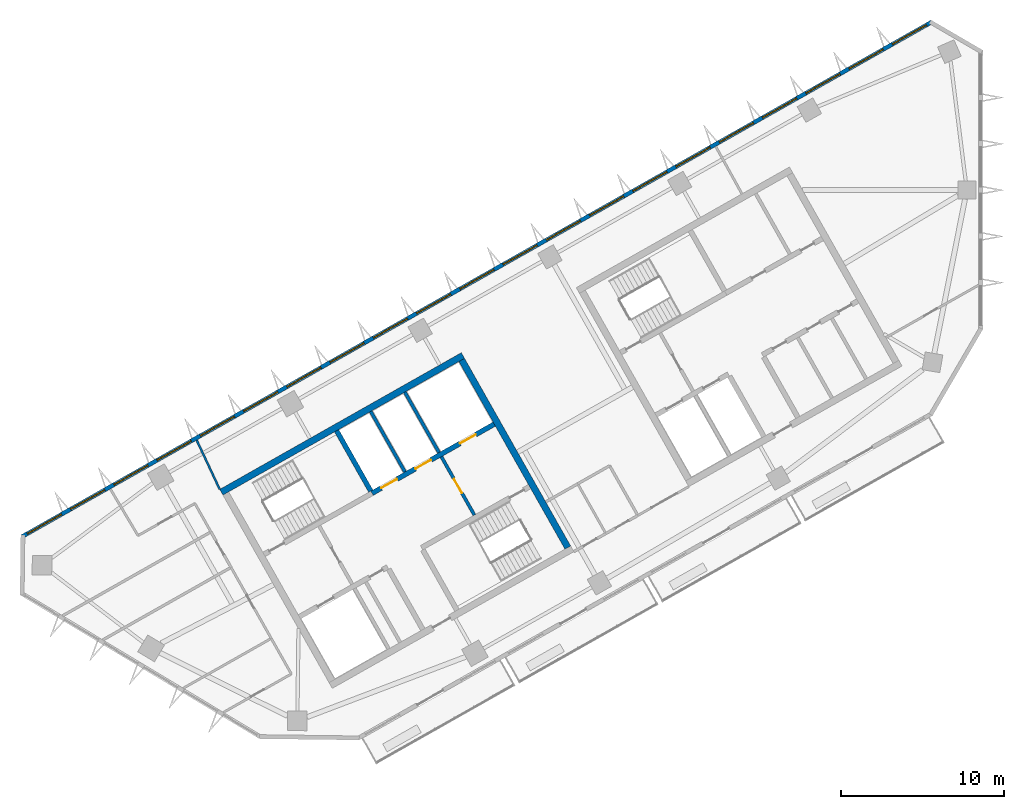
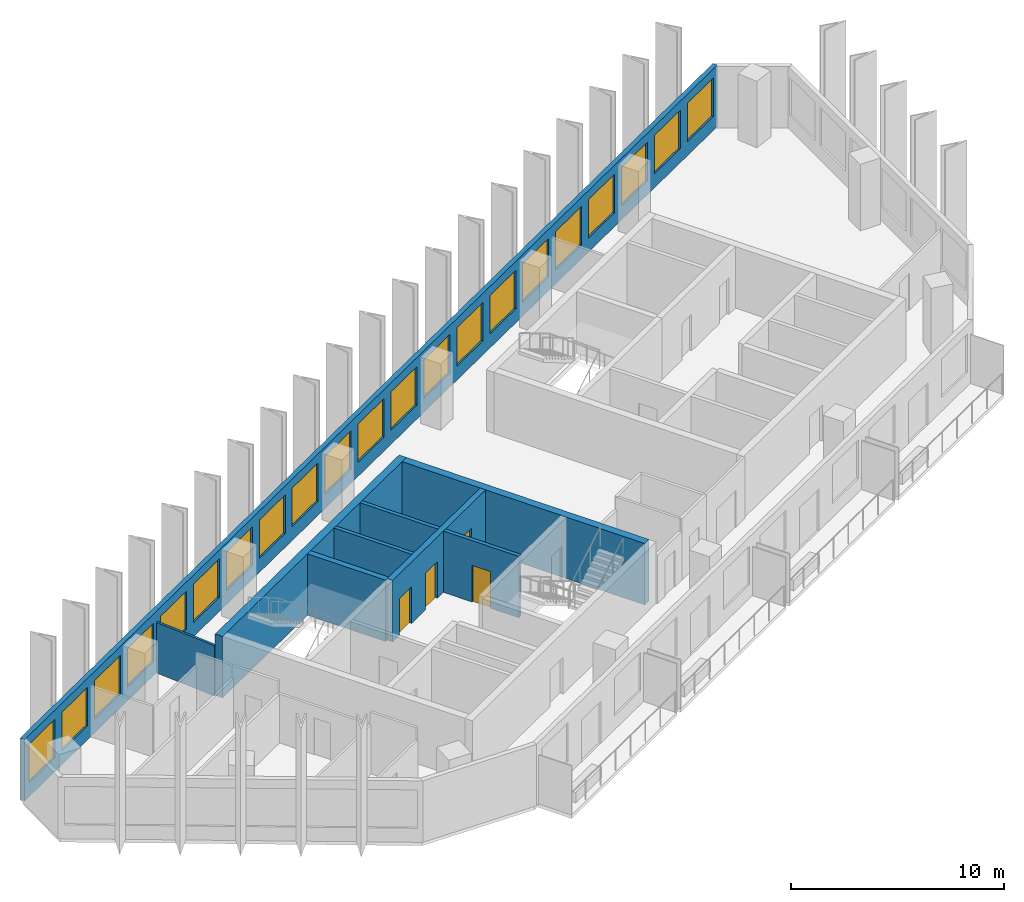
# One storey, part 3 of 8: 21 windows, 9 walls, 4 doors, 25 openings.
"""IFC4 building model written with IfcOpenShell, lengths in metres."""

from ifc_helpers import new_model, si_unit, direction, frame, frame_2d, origin, place, context, subcontext, project, spatial, rectangle, extrude, material, layer, layer_set, type_object, element, fill, save


model = new_model("IFC4")

# Units and contexts
model_context = context("Model", 3, precision=1e-05, world=origin(), true_north=direction((0.0, 1.0)))
body_context = subcontext(model_context, "Body", "Model", "MODEL_VIEW")
ifc_project = project(units=[si_unit("LENGTHUNIT", "METRE"), si_unit("AREAUNIT", "SQUARE_METRE"), si_unit("VOLUMEUNIT", "CUBIC_METRE"), si_unit("PLANEANGLEUNIT", "RADIAN"), si_unit("MASSUNIT", "GRAM", prefix="KILO")], contexts=[model_context])

# Site, building, storey
site_placement = place(None, origin())
site = spatial("IfcSite", under=ifc_project, at=site_placement, CompositionType="ELEMENT")
building_placement = place(site_placement, origin())
building = spatial("IfcBuilding", under=site, at=building_placement, Name="Binnacle Exchange Tower", CompositionType="ELEMENT")
storey_placement = place(building_placement, frame((0.0, 0.0, 293.10009765625)))
storey = spatial("IfcBuildingStorey", under=building, at=storey_placement, Name="L65", CompositionType="ELEMENT", Elevation=293.10009765625)

# Wall, openings, doors
ifc_material_1 = material(Name="Concrete C70/85", Category="concrete")
ifc_layer_1 = layer(ifc_material_1, 0.300048828125)
ifc_layer_set_1 = layer_set([ifc_layer_1], Name="Core wall - front 300")
wall_type_1 = type_object("IfcWallType", Name="Core wall - front 300", PredefinedType="SOLIDWALL", material=ifc_layer_set_1)
wall_1_placement = place(storey_placement, frame((-37.281982421875, 41.4345703125, 0.0), z_axis=(0.0, 0.0, 1.0), x_axis=(0.870361315115, 0.492413628113, 0.0)))
wall_1 = element("IfcWall", 1, at=wall_1_placement, inside=storey, type_object=wall_type_1, Name="Core wall CRWA5", PredefinedType="SOLIDWALL", context=body_context, shape_type="SweptSolid", body=[
    extrude(rectangle(XDim=8.599609375, YDim=0.300048828125, at=frame_2d((4.2998046875, 0.0))), origin(), (0.0, 0.0, 1.0), 3.52001953125),
])
opening_1_placement = place(wall_1_placement, frame((0.650146484375, 0.0, 0.0)))
opening_1 = element("IfcOpeningElement", 2, at=opening_1_placement, cuts=wall_1, Name="Opening LD9", PredefinedType="OPENING", context=body_context, shape_type="SweptSolid", body=[
    extrude(rectangle(XDim=1.10009765625, YDim=2.10009765625, at=frame_2d((0.550048828125, 1.050048828125))), frame((0.0, 0.159912109375, 0.0), z_axis=(0.0, -1.0, 0.0), x_axis=(1.0, 0.0, 0.0)), (0.0, 0.0, 1.0), 0.320068359375),
])
opening_2_placement = place(wall_1_placement, frame((3.050048828125, 0.0, 0.0)))
opening_2 = element("IfcOpeningElement", 3, at=opening_2_placement, cuts=wall_1, Name="Opening LD10", PredefinedType="OPENING", context=body_context, shape_type="SweptSolid", body=[
    extrude(rectangle(XDim=1.10009765625, YDim=2.10009765625, at=frame_2d((0.550048828125, 1.050048828125))), frame((0.0, 0.159912109375, 0.0), z_axis=(0.0, -1.0, 0.0), x_axis=(1.0, 0.0, 0.0)), (0.0, 0.0, 1.0), 0.320068359375),
])
opening_3_placement = place(wall_1_placement, frame((6.199951171875, 0.0, 0.0)))
opening_3 = element("IfcOpeningElement", 4, at=opening_3_placement, cuts=wall_1, Name="Opening LD13", PredefinedType="OPENING", context=body_context, shape_type="SweptSolid", body=[
    extrude(rectangle(XDim=1.10009765625, YDim=2.10009765625, at=frame_2d((0.550048828125, 1.050048828125))), frame((0.0, 0.159912109375, 0.0), z_axis=(0.0, -1.0, 0.0), x_axis=(1.0, 0.0, 0.0)), (0.0, 0.0, 1.0), 0.320068359375),
])
ifc_material_2 = material(Name="Steel door leaf", Category="steel")
door_type_1 = type_object("IfcDoorType", Name="Fire door - lift landing 1100", OperationType="NOTDEFINED", PredefinedType="DOOR", material=ifc_material_2)
door_1_placement = place(opening_1_placement, origin())
door_1 = element("IfcDoor", 5, at=door_1_placement, inside=storey, type_object=door_type_1, Name="Landing door LD9 L65", OperationType="DOUBLE_DOOR_SLIDING", OverallHeight=2.10009765625, OverallWidth=1.10009765625, PredefinedType="DOOR", context=body_context, shape_type="SweptSolid", body=[
    extrude(rectangle(XDim=1.10009765625, YDim=2.10009765625, at=frame_2d((0.550048828125, 1.050048828125))), frame((0.0, 0.02490234375, 0.0), z_axis=(0.0, -1.0, 0.0), x_axis=(1.0, 0.0, 0.0)), (0.0, 0.0, 1.0), 0.050048828125),
])
fill(opening_1, door_1)
door_2_placement = place(opening_2_placement, origin())
door_2 = element("IfcDoor", 6, at=door_2_placement, inside=storey, type_object=door_type_1, Name="Landing door LD10 L65", OperationType="DOUBLE_DOOR_SLIDING", OverallHeight=2.10009765625, OverallWidth=1.10009765625, PredefinedType="DOOR", context=body_context, shape_type="SweptSolid", body=[
    extrude(rectangle(XDim=1.10009765625, YDim=2.10009765625, at=frame_2d((0.550048828125, 1.050048828125))), frame((0.0, 0.02490234375, 0.0), z_axis=(0.0, -1.0, 0.0), x_axis=(1.0, 0.0, 0.0)), (0.0, 0.0, 1.0), 0.050048828125),
])
fill(opening_2, door_2)
door_3_placement = place(opening_3_placement, origin())
door_3 = element("IfcDoor", 7, at=door_3_placement, inside=storey, type_object=door_type_1, Name="Landing door LD13 L65", OperationType="DOUBLE_DOOR_SLIDING", OverallHeight=2.10009765625, OverallWidth=1.10009765625, PredefinedType="DOOR", context=body_context, shape_type="SweptSolid", body=[
    extrude(rectangle(XDim=1.10009765625, YDim=2.10009765625, at=frame_2d((0.550048828125, 1.050048828125))), frame((0.0, 0.02490234375, 0.0), z_axis=(0.0, -1.0, 0.0), x_axis=(1.0, 0.0, 0.0)), (0.0, 0.0, 1.0), 0.050048828125),
])
fill(opening_3, door_3)

# Walls
ifc_layer_2 = layer(ifc_material_1, 0.39990234375)
ifc_layer_set_2 = layer_set([ifc_layer_2], Name="Core wall - outer 400")
wall_type_2 = type_object("IfcWallType", Name="Core wall - outer 400", PredefinedType="SOLIDWALL", material=ifc_layer_set_2)
wall_2_placement = place(storey_placement, frame((-46.510009765625, 41.498779296875, 0.0), z_axis=(0.0, 0.0, 1.0), x_axis=(0.870356271124, 0.492422543467, 0.0)))
element("IfcWall", 8, at=wall_2_placement, inside=storey, type_object=wall_type_2, Name="Core wall CRWA6", PredefinedType="SOLIDWALL", context=body_context, shape_type="SweptSolid", body=[
    extrude(rectangle(XDim=16.999755859375, YDim=0.39990234375, at=frame_2d((8.5, 0.0))), origin(), (0.0, 0.0, 1.0), 3.52001953125),
])
wall_3_placement = place(storey_placement, frame((-31.78955078125, 49.597412109375, 0.0), z_axis=(0.0, 0.0, 1.0), x_axis=(0.492421663121, -0.870356769198, 0.0)))
element("IfcWall", 9, at=wall_3_placement, inside=storey, type_object=wall_type_2, Name="Core wall CRWA22", PredefinedType="SOLIDWALL", context=body_context, shape_type="SweptSolid", body=[
    extrude(rectangle(XDim=13.199951171875, YDim=0.39990234375, at=frame_2d((6.60009765625, 0.0))), origin(), (0.0, 0.0, 1.0), 3.52001953125),
])
ifc_layer_3 = layer(ifc_material_1, 0.300048828125)
ifc_layer_set_3 = layer_set([ifc_layer_3], Name="Core wall - stair 300")
wall_type_3 = type_object("IfcWallType", Name="Core wall - stair 300", PredefinedType="SOLIDWALL", material=ifc_layer_set_3)
wall_4_placement = place(storey_placement, frame((-39.44873046875, 45.263916015625, 0.0), z_axis=(0.0, 0.0, 1.0), x_axis=(0.492422543467, -0.870356271124, 0.0)))
element("IfcWall", 10, at=wall_4_placement, inside=storey, type_object=wall_type_3, Name="Core wall CRWA14", PredefinedType="SOLIDWALL", context=body_context, shape_type="SweptSolid", body=[
    extrude(rectangle(XDim=4.25, YDim=0.300048828125, at=frame_2d((2.125, 0.0))), origin(), (0.0, 0.0, 1.0), 3.52001953125),
])

# Wall, openings, windows
ifc_material_3 = material(Name="Bronze aluminium cladding", Category="aluminium")
ifc_layer_4 = layer(ifc_material_3, 0.25)
ifc_layer_set_4 = layer_set([ifc_layer_4], Name="External wall - window wall 250")
wall_type_4 = type_object("IfcWallType", Name="External wall - window wall 250", PredefinedType="STANDARD", material=ifc_layer_set_4)
wall_5_placement = place(storey_placement, frame((-58.732177734375, 38.770751953125, 0.0), z_axis=(0.0, 0.0, 1.0), x_axis=(0.870355615581, 0.492423702137, 0.0)))
wall_5 = element("IfcWall", 11, at=wall_5_placement, inside=storey, type_object=wall_type_4, Name="External wall EW-H03 L65", PredefinedType="STANDARD", context=body_context, shape_type="SweptSolid", body=[
    extrude(rectangle(XDim=64.052490234375, YDim=0.25, at=frame_2d((32.0263671875, 0.0))), origin(), (0.0, 0.0, 1.0), 3.52001953125),
])
opening_4_placement = place(wall_5_placement, frame((61.25927734375, 0.0, 0.800048828125)))
opening_4 = element("IfcOpeningElement", 12, at=opening_4_placement, cuts=wall_5, Name="Opening WR2", PredefinedType="OPENING", context=body_context, shape_type="SweptSolid", body=[
    extrude(rectangle(XDim=2.39990234375, YDim=2.199951171875, at=frame_2d((1.199951171875, 1.10009765625))), frame((0.0, 0.135009765625, 0.0), z_axis=(0.0, -1.0, 0.0), x_axis=(1.0, 0.0, 0.0)), (0.0, 0.0, 1.0), 0.27001953125),
])
opening_5_placement = place(wall_5_placement, frame((58.2158203125, 0.0, 0.800048828125)))
opening_5 = element("IfcOpeningElement", 13, at=opening_5_placement, cuts=wall_5, Name="Opening WR2", PredefinedType="OPENING", context=body_context, shape_type="SweptSolid", body=[
    extrude(rectangle(XDim=2.39990234375, YDim=2.199951171875, at=frame_2d((1.199951171875, 1.10009765625))), frame((0.0, 0.135009765625, 0.0), z_axis=(0.0, -1.0, 0.0), x_axis=(1.0, 0.0, 0.0)), (0.0, 0.0, 1.0), 0.27001953125),
])
opening_6_placement = place(wall_5_placement, frame((55.172607421875, 0.0, 0.800048828125)))
opening_6 = element("IfcOpeningElement", 14, at=opening_6_placement, cuts=wall_5, Name="Opening WR2", PredefinedType="OPENING", context=body_context, shape_type="SweptSolid", body=[
    extrude(rectangle(XDim=2.39990234375, YDim=2.199951171875, at=frame_2d((1.199951171875, 1.10009765625))), frame((0.0, 0.135009765625, 0.0), z_axis=(0.0, -1.0, 0.0), x_axis=(1.0, 0.0, 0.0)), (0.0, 0.0, 1.0), 0.27001953125),
])
opening_7_placement = place(wall_5_placement, frame((52.12939453125, 0.0, 0.800048828125)))
opening_7 = element("IfcOpeningElement", 15, at=opening_7_placement, cuts=wall_5, Name="Opening WR2", PredefinedType="OPENING", context=body_context, shape_type="SweptSolid", body=[
    extrude(rectangle(XDim=2.39990234375, YDim=2.199951171875, at=frame_2d((1.199951171875, 1.10009765625))), frame((0.0, 0.135009765625, 0.0), z_axis=(0.0, -1.0, 0.0), x_axis=(1.0, 0.0, 0.0)), (0.0, 0.0, 1.0), 0.27001953125),
])
opening_8_placement = place(wall_5_placement, frame((49.0859375, 0.0, 0.800048828125)))
opening_8 = element("IfcOpeningElement", 16, at=opening_8_placement, cuts=wall_5, Name="Opening WR2", PredefinedType="OPENING", context=body_context, shape_type="SweptSolid", body=[
    extrude(rectangle(XDim=2.39990234375, YDim=2.199951171875, at=frame_2d((1.199951171875, 1.10009765625))), frame((0.0, 0.135009765625, 0.0), z_axis=(0.0, -1.0, 0.0), x_axis=(1.0, 0.0, 0.0)), (0.0, 0.0, 1.0), 0.27001953125),
])
opening_9_placement = place(wall_5_placement, frame((46.042724609375, 0.0, 0.800048828125)))
opening_9 = element("IfcOpeningElement", 17, at=opening_9_placement, cuts=wall_5, Name="Opening WR2", PredefinedType="OPENING", context=body_context, shape_type="SweptSolid", body=[
    extrude(rectangle(XDim=2.39990234375, YDim=2.199951171875, at=frame_2d((1.199951171875, 1.10009765625))), frame((0.0, 0.135009765625, 0.0), z_axis=(0.0, -1.0, 0.0), x_axis=(1.0, 0.0, 0.0)), (0.0, 0.0, 1.0), 0.27001953125),
])
opening_10_placement = place(wall_5_placement, frame((42.99951171875, 0.0, 0.800048828125)))
opening_10 = element("IfcOpeningElement", 18, at=opening_10_placement, cuts=wall_5, Name="Opening WR2", PredefinedType="OPENING", context=body_context, shape_type="SweptSolid", body=[
    extrude(rectangle(XDim=2.39990234375, YDim=2.199951171875, at=frame_2d((1.199951171875, 1.10009765625))), frame((0.0, 0.135009765625, 0.0), z_axis=(0.0, -1.0, 0.0), x_axis=(1.0, 0.0, 0.0)), (0.0, 0.0, 1.0), 0.27001953125),
])
opening_11_placement = place(wall_5_placement, frame((39.956298828125, 0.0, 0.800048828125)))
opening_11 = element("IfcOpeningElement", 19, at=opening_11_placement, cuts=wall_5, Name="Opening WR2", PredefinedType="OPENING", context=body_context, shape_type="SweptSolid", body=[
    extrude(rectangle(XDim=2.39990234375, YDim=2.199951171875, at=frame_2d((1.199951171875, 1.10009765625))), frame((0.0, 0.135009765625, 0.0), z_axis=(0.0, -1.0, 0.0), x_axis=(1.0, 0.0, 0.0)), (0.0, 0.0, 1.0), 0.27001953125),
])
opening_12_placement = place(wall_5_placement, frame((36.912841796875, 0.0, 0.800048828125)))
opening_12 = element("IfcOpeningElement", 20, at=opening_12_placement, cuts=wall_5, Name="Opening WR2", PredefinedType="OPENING", context=body_context, shape_type="SweptSolid", body=[
    extrude(rectangle(XDim=2.39990234375, YDim=2.199951171875, at=frame_2d((1.199951171875, 1.10009765625))), frame((0.0, 0.135009765625, 0.0), z_axis=(0.0, -1.0, 0.0), x_axis=(1.0, 0.0, 0.0)), (0.0, 0.0, 1.0), 0.27001953125),
])
opening_13_placement = place(wall_5_placement, frame((33.86962890625, 0.0, 0.800048828125)))
opening_13 = element("IfcOpeningElement", 21, at=opening_13_placement, cuts=wall_5, Name="Opening WR2", PredefinedType="OPENING", context=body_context, shape_type="SweptSolid", body=[
    extrude(rectangle(XDim=2.39990234375, YDim=2.199951171875, at=frame_2d((1.199951171875, 1.10009765625))), frame((0.0, 0.135009765625, 0.0), z_axis=(0.0, -1.0, 0.0), x_axis=(1.0, 0.0, 0.0)), (0.0, 0.0, 1.0), 0.27001953125),
])
opening_14_placement = place(wall_5_placement, frame((30.826416015625, 0.0, 0.800048828125)))
opening_14 = element("IfcOpeningElement", 22, at=opening_14_placement, cuts=wall_5, Name="Opening WR2", PredefinedType="OPENING", context=body_context, shape_type="SweptSolid", body=[
    extrude(rectangle(XDim=2.39990234375, YDim=2.199951171875, at=frame_2d((1.199951171875, 1.10009765625))), frame((0.0, 0.135009765625, 0.0), z_axis=(0.0, -1.0, 0.0), x_axis=(1.0, 0.0, 0.0)), (0.0, 0.0, 1.0), 0.27001953125),
])
opening_15_placement = place(wall_5_placement, frame((27.782958984375, 0.0, 0.800048828125)))
opening_15 = element("IfcOpeningElement", 23, at=opening_15_placement, cuts=wall_5, Name="Opening WR2", PredefinedType="OPENING", context=body_context, shape_type="SweptSolid", body=[
    extrude(rectangle(XDim=2.39990234375, YDim=2.199951171875, at=frame_2d((1.199951171875, 1.10009765625))), frame((0.0, 0.135009765625, 0.0), z_axis=(0.0, -1.0, 0.0), x_axis=(1.0, 0.0, 0.0)), (0.0, 0.0, 1.0), 0.27001953125),
])
opening_16_placement = place(wall_5_placement, frame((24.73974609375, 0.0, 0.800048828125)))
opening_16 = element("IfcOpeningElement", 24, at=opening_16_placement, cuts=wall_5, Name="Opening WR2", PredefinedType="OPENING", context=body_context, shape_type="SweptSolid", body=[
    extrude(rectangle(XDim=2.39990234375, YDim=2.199951171875, at=frame_2d((1.199951171875, 1.10009765625))), frame((0.0, 0.135009765625, 0.0), z_axis=(0.0, -1.0, 0.0), x_axis=(1.0, 0.0, 0.0)), (0.0, 0.0, 1.0), 0.27001953125),
])
opening_17_placement = place(wall_5_placement, frame((21.6962890625, 0.0, 0.800048828125)))
opening_17 = element("IfcOpeningElement", 25, at=opening_17_placement, cuts=wall_5, Name="Opening WR2", PredefinedType="OPENING", context=body_context, shape_type="SweptSolid", body=[
    extrude(rectangle(XDim=2.39990234375, YDim=2.199951171875, at=frame_2d((1.199951171875, 1.10009765625))), frame((0.0, 0.135009765625, 0.0), z_axis=(0.0, -1.0, 0.0), x_axis=(1.0, 0.0, 0.0)), (0.0, 0.0, 1.0), 0.27001953125),
])
opening_18_placement = place(wall_5_placement, frame((18.6533203125, 0.0, 0.800048828125)))
opening_18 = element("IfcOpeningElement", 26, at=opening_18_placement, cuts=wall_5, Name="Opening WR2", PredefinedType="OPENING", context=body_context, shape_type="SweptSolid", body=[
    extrude(rectangle(XDim=2.39990234375, YDim=2.199951171875, at=frame_2d((1.199951171875, 1.10009765625))), frame((0.0, 0.135009765625, 0.0), z_axis=(0.0, -1.0, 0.0), x_axis=(1.0, 0.0, 0.0)), (0.0, 0.0, 1.0), 0.27001953125),
])
opening_19_placement = place(wall_5_placement, frame((15.60986328125, 0.0, 0.800048828125)))
opening_19 = element("IfcOpeningElement", 27, at=opening_19_placement, cuts=wall_5, Name="Opening WR2", PredefinedType="OPENING", context=body_context, shape_type="SweptSolid", body=[
    extrude(rectangle(XDim=2.39990234375, YDim=2.199951171875, at=frame_2d((1.199951171875, 1.10009765625))), frame((0.0, 0.135009765625, 0.0), z_axis=(0.0, -1.0, 0.0), x_axis=(1.0, 0.0, 0.0)), (0.0, 0.0, 1.0), 0.27001953125),
])
opening_20_placement = place(wall_5_placement, frame((12.566650390625, 0.0, 0.800048828125)))
opening_20 = element("IfcOpeningElement", 28, at=opening_20_placement, cuts=wall_5, Name="Opening WR2", PredefinedType="OPENING", context=body_context, shape_type="SweptSolid", body=[
    extrude(rectangle(XDim=2.39990234375, YDim=2.199951171875, at=frame_2d((1.199951171875, 1.10009765625))), frame((0.0, 0.135009765625, 0.0), z_axis=(0.0, -1.0, 0.0), x_axis=(1.0, 0.0, 0.0)), (0.0, 0.0, 1.0), 0.27001953125),
])
opening_21_placement = place(wall_5_placement, frame((9.523193359375, 0.0, 0.800048828125)))
opening_21 = element("IfcOpeningElement", 29, at=opening_21_placement, cuts=wall_5, Name="Opening WR2", PredefinedType="OPENING", context=body_context, shape_type="SweptSolid", body=[
    extrude(rectangle(XDim=2.39990234375, YDim=2.199951171875, at=frame_2d((1.199951171875, 1.10009765625))), frame((0.0, 0.135009765625, 0.0), z_axis=(0.0, -1.0, 0.0), x_axis=(1.0, 0.0, 0.0)), (0.0, 0.0, 1.0), 0.27001953125),
])
opening_22_placement = place(wall_5_placement, frame((6.47998046875, 0.0, 0.800048828125)))
opening_22 = element("IfcOpeningElement", 30, at=opening_22_placement, cuts=wall_5, Name="Opening WR2", PredefinedType="OPENING", context=body_context, shape_type="SweptSolid", body=[
    extrude(rectangle(XDim=2.39990234375, YDim=2.199951171875, at=frame_2d((1.199951171875, 1.10009765625))), frame((0.0, 0.135009765625, 0.0), z_axis=(0.0, -1.0, 0.0), x_axis=(1.0, 0.0, 0.0)), (0.0, 0.0, 1.0), 0.27001953125),
])
opening_23_placement = place(wall_5_placement, frame((3.436767578125, 0.0, 0.800048828125)))
opening_23 = element("IfcOpeningElement", 31, at=opening_23_placement, cuts=wall_5, Name="Opening WR2", PredefinedType="OPENING", context=body_context, shape_type="SweptSolid", body=[
    extrude(rectangle(XDim=2.39990234375, YDim=2.199951171875, at=frame_2d((1.199951171875, 1.10009765625))), frame((0.0, 0.135009765625, 0.0), z_axis=(0.0, -1.0, 0.0), x_axis=(1.0, 0.0, 0.0)), (0.0, 0.0, 1.0), 0.27001953125),
])
opening_24_placement = place(wall_5_placement, frame((0.393310546875, 0.0, 0.800048828125)))
opening_24 = element("IfcOpeningElement", 32, at=opening_24_placement, cuts=wall_5, Name="Opening WR2", PredefinedType="OPENING", context=body_context, shape_type="SweptSolid", body=[
    extrude(rectangle(XDim=2.39990234375, YDim=2.199951171875, at=frame_2d((1.199951171875, 1.10009765625))), frame((0.0, 0.135009765625, 0.0), z_axis=(0.0, -1.0, 0.0), x_axis=(1.0, 0.0, 0.0)), (0.0, 0.0, 1.0), 0.27001953125),
])
ifc_material_4 = material(Name="Bronze anodised aluminium frame", Category="aluminium")
window_type = type_object("IfcWindowType", Name="WR2 WINDOW 2400x2200", PartitioningType="SINGLE_PANEL", PredefinedType="WINDOW", material=ifc_material_4)
window_1_placement = place(opening_4_placement, origin())
window_1 = element("IfcWindow", 33, at=window_1_placement, inside=storey, type_object=window_type, Name="Window WR2 L65", OverallHeight=2.199951171875, OverallWidth=2.39990234375, PartitioningType="SINGLE_PANEL", PredefinedType="WINDOW", context=body_context, shape_type="SweptSolid", body=[
    extrude(rectangle(XDim=2.39990234375, YDim=2.199951171875, at=frame_2d((1.199951171875, 1.10009765625))), frame((0.0, 0.030029296875, 0.0), z_axis=(0.0, -1.0, 0.0), x_axis=(1.0, 0.0, 0.0)), (0.0, 0.0, 1.0), 0.06005859375),
])
fill(opening_4, window_1)
window_2_placement = place(opening_5_placement, origin())
window_2 = element("IfcWindow", 34, at=window_2_placement, inside=storey, type_object=window_type, Name="Window WR2 L65", OverallHeight=2.199951171875, OverallWidth=2.39990234375, PartitioningType="SINGLE_PANEL", PredefinedType="WINDOW", context=body_context, shape_type="SweptSolid", body=[
    extrude(rectangle(XDim=2.39990234375, YDim=2.199951171875, at=frame_2d((1.199951171875, 1.10009765625))), frame((0.0, 0.030029296875, 0.0), z_axis=(0.0, -1.0, 0.0), x_axis=(1.0, 0.0, 0.0)), (0.0, 0.0, 1.0), 0.06005859375),
])
fill(opening_5, window_2)
window_3_placement = place(opening_6_placement, origin())
window_3 = element("IfcWindow", 35, at=window_3_placement, inside=storey, type_object=window_type, Name="Window WR2 L65", OverallHeight=2.199951171875, OverallWidth=2.39990234375, PartitioningType="SINGLE_PANEL", PredefinedType="WINDOW", context=body_context, shape_type="SweptSolid", body=[
    extrude(rectangle(XDim=2.39990234375, YDim=2.199951171875, at=frame_2d((1.199951171875, 1.10009765625))), frame((0.0, 0.030029296875, 0.0), z_axis=(0.0, -1.0, 0.0), x_axis=(1.0, 0.0, 0.0)), (0.0, 0.0, 1.0), 0.06005859375),
])
fill(opening_6, window_3)
window_4_placement = place(opening_7_placement, origin())
window_4 = element("IfcWindow", 36, at=window_4_placement, inside=storey, type_object=window_type, Name="Window WR2 L65", OverallHeight=2.199951171875, OverallWidth=2.39990234375, PartitioningType="SINGLE_PANEL", PredefinedType="WINDOW", context=body_context, shape_type="SweptSolid", body=[
    extrude(rectangle(XDim=2.39990234375, YDim=2.199951171875, at=frame_2d((1.199951171875, 1.10009765625))), frame((0.0, 0.030029296875, 0.0), z_axis=(0.0, -1.0, 0.0), x_axis=(1.0, 0.0, 0.0)), (0.0, 0.0, 1.0), 0.06005859375),
])
fill(opening_7, window_4)
window_5_placement = place(opening_8_placement, origin())
window_5 = element("IfcWindow", 37, at=window_5_placement, inside=storey, type_object=window_type, Name="Window WR2 L65", OverallHeight=2.199951171875, OverallWidth=2.39990234375, PartitioningType="SINGLE_PANEL", PredefinedType="WINDOW", context=body_context, shape_type="SweptSolid", body=[
    extrude(rectangle(XDim=2.39990234375, YDim=2.199951171875, at=frame_2d((1.199951171875, 1.10009765625))), frame((0.0, 0.030029296875, 0.0), z_axis=(0.0, -1.0, 0.0), x_axis=(1.0, 0.0, 0.0)), (0.0, 0.0, 1.0), 0.06005859375),
])
fill(opening_8, window_5)
window_6_placement = place(opening_9_placement, origin())
window_6 = element("IfcWindow", 38, at=window_6_placement, inside=storey, type_object=window_type, Name="Window WR2 L65", OverallHeight=2.199951171875, OverallWidth=2.39990234375, PartitioningType="SINGLE_PANEL", PredefinedType="WINDOW", context=body_context, shape_type="SweptSolid", body=[
    extrude(rectangle(XDim=2.39990234375, YDim=2.199951171875, at=frame_2d((1.199951171875, 1.10009765625))), frame((0.0, 0.030029296875, 0.0), z_axis=(0.0, -1.0, 0.0), x_axis=(1.0, 0.0, 0.0)), (0.0, 0.0, 1.0), 0.06005859375),
])
fill(opening_9, window_6)
window_7_placement = place(opening_10_placement, origin())
window_7 = element("IfcWindow", 39, at=window_7_placement, inside=storey, type_object=window_type, Name="Window WR2 L65", OverallHeight=2.199951171875, OverallWidth=2.39990234375, PartitioningType="SINGLE_PANEL", PredefinedType="WINDOW", context=body_context, shape_type="SweptSolid", body=[
    extrude(rectangle(XDim=2.39990234375, YDim=2.199951171875, at=frame_2d((1.199951171875, 1.10009765625))), frame((0.0, 0.030029296875, 0.0), z_axis=(0.0, -1.0, 0.0), x_axis=(1.0, 0.0, 0.0)), (0.0, 0.0, 1.0), 0.06005859375),
])
fill(opening_10, window_7)
window_8_placement = place(opening_11_placement, origin())
window_8 = element("IfcWindow", 40, at=window_8_placement, inside=storey, type_object=window_type, Name="Window WR2 L65", OverallHeight=2.199951171875, OverallWidth=2.39990234375, PartitioningType="SINGLE_PANEL", PredefinedType="WINDOW", context=body_context, shape_type="SweptSolid", body=[
    extrude(rectangle(XDim=2.39990234375, YDim=2.199951171875, at=frame_2d((1.199951171875, 1.10009765625))), frame((0.0, 0.030029296875, 0.0), z_axis=(0.0, -1.0, 0.0), x_axis=(1.0, 0.0, 0.0)), (0.0, 0.0, 1.0), 0.06005859375),
])
fill(opening_11, window_8)
window_9_placement = place(opening_12_placement, origin())
window_9 = element("IfcWindow", 41, at=window_9_placement, inside=storey, type_object=window_type, Name="Window WR2 L65", OverallHeight=2.199951171875, OverallWidth=2.39990234375, PartitioningType="SINGLE_PANEL", PredefinedType="WINDOW", context=body_context, shape_type="SweptSolid", body=[
    extrude(rectangle(XDim=2.39990234375, YDim=2.199951171875, at=frame_2d((1.199951171875, 1.10009765625))), frame((0.0, 0.030029296875, 0.0), z_axis=(0.0, -1.0, 0.0), x_axis=(1.0, 0.0, 0.0)), (0.0, 0.0, 1.0), 0.06005859375),
])
fill(opening_12, window_9)
window_10_placement = place(opening_13_placement, origin())
window_10 = element("IfcWindow", 42, at=window_10_placement, inside=storey, type_object=window_type, Name="Window WR2 L65", OverallHeight=2.199951171875, OverallWidth=2.39990234375, PartitioningType="SINGLE_PANEL", PredefinedType="WINDOW", context=body_context, shape_type="SweptSolid", body=[
    extrude(rectangle(XDim=2.39990234375, YDim=2.199951171875, at=frame_2d((1.199951171875, 1.10009765625))), frame((0.0, 0.030029296875, 0.0), z_axis=(0.0, -1.0, 0.0), x_axis=(1.0, 0.0, 0.0)), (0.0, 0.0, 1.0), 0.06005859375),
])
fill(opening_13, window_10)
window_11_placement = place(opening_14_placement, origin())
window_11 = element("IfcWindow", 43, at=window_11_placement, inside=storey, type_object=window_type, Name="Window WR2 L65", OverallHeight=2.199951171875, OverallWidth=2.39990234375, PartitioningType="SINGLE_PANEL", PredefinedType="WINDOW", context=body_context, shape_type="SweptSolid", body=[
    extrude(rectangle(XDim=2.39990234375, YDim=2.199951171875, at=frame_2d((1.199951171875, 1.10009765625))), frame((0.0, 0.030029296875, 0.0), z_axis=(0.0, -1.0, 0.0), x_axis=(1.0, 0.0, 0.0)), (0.0, 0.0, 1.0), 0.06005859375),
])
fill(opening_14, window_11)
window_12_placement = place(opening_15_placement, origin())
window_12 = element("IfcWindow", 44, at=window_12_placement, inside=storey, type_object=window_type, Name="Window WR2 L65", OverallHeight=2.199951171875, OverallWidth=2.39990234375, PartitioningType="SINGLE_PANEL", PredefinedType="WINDOW", context=body_context, shape_type="SweptSolid", body=[
    extrude(rectangle(XDim=2.39990234375, YDim=2.199951171875, at=frame_2d((1.199951171875, 1.10009765625))), frame((0.0, 0.030029296875, 0.0), z_axis=(0.0, -1.0, 0.0), x_axis=(1.0, 0.0, 0.0)), (0.0, 0.0, 1.0), 0.06005859375),
])
fill(opening_15, window_12)
window_13_placement = place(opening_16_placement, origin())
window_13 = element("IfcWindow", 45, at=window_13_placement, inside=storey, type_object=window_type, Name="Window WR2 L65", OverallHeight=2.199951171875, OverallWidth=2.39990234375, PartitioningType="SINGLE_PANEL", PredefinedType="WINDOW", context=body_context, shape_type="SweptSolid", body=[
    extrude(rectangle(XDim=2.39990234375, YDim=2.199951171875, at=frame_2d((1.199951171875, 1.10009765625))), frame((0.0, 0.030029296875, 0.0), z_axis=(0.0, -1.0, 0.0), x_axis=(1.0, 0.0, 0.0)), (0.0, 0.0, 1.0), 0.06005859375),
])
fill(opening_16, window_13)
window_14_placement = place(opening_17_placement, origin())
window_14 = element("IfcWindow", 46, at=window_14_placement, inside=storey, type_object=window_type, Name="Window WR2 L65", OverallHeight=2.199951171875, OverallWidth=2.39990234375, PartitioningType="SINGLE_PANEL", PredefinedType="WINDOW", context=body_context, shape_type="SweptSolid", body=[
    extrude(rectangle(XDim=2.39990234375, YDim=2.199951171875, at=frame_2d((1.199951171875, 1.10009765625))), frame((0.0, 0.030029296875, 0.0), z_axis=(0.0, -1.0, 0.0), x_axis=(1.0, 0.0, 0.0)), (0.0, 0.0, 1.0), 0.06005859375),
])
fill(opening_17, window_14)
window_15_placement = place(opening_18_placement, origin())
window_15 = element("IfcWindow", 47, at=window_15_placement, inside=storey, type_object=window_type, Name="Window WR2 L65", OverallHeight=2.199951171875, OverallWidth=2.39990234375, PartitioningType="SINGLE_PANEL", PredefinedType="WINDOW", context=body_context, shape_type="SweptSolid", body=[
    extrude(rectangle(XDim=2.39990234375, YDim=2.199951171875, at=frame_2d((1.199951171875, 1.10009765625))), frame((0.0, 0.030029296875, 0.0), z_axis=(0.0, -1.0, 0.0), x_axis=(1.0, 0.0, 0.0)), (0.0, 0.0, 1.0), 0.06005859375),
])
fill(opening_18, window_15)
window_16_placement = place(opening_19_placement, origin())
window_16 = element("IfcWindow", 48, at=window_16_placement, inside=storey, type_object=window_type, Name="Window WR2 L65", OverallHeight=2.199951171875, OverallWidth=2.39990234375, PartitioningType="SINGLE_PANEL", PredefinedType="WINDOW", context=body_context, shape_type="SweptSolid", body=[
    extrude(rectangle(XDim=2.39990234375, YDim=2.199951171875, at=frame_2d((1.199951171875, 1.10009765625))), frame((0.0, 0.030029296875, 0.0), z_axis=(0.0, -1.0, 0.0), x_axis=(1.0, 0.0, 0.0)), (0.0, 0.0, 1.0), 0.06005859375),
])
fill(opening_19, window_16)
window_17_placement = place(opening_20_placement, origin())
window_17 = element("IfcWindow", 49, at=window_17_placement, inside=storey, type_object=window_type, Name="Window WR2 L65", OverallHeight=2.199951171875, OverallWidth=2.39990234375, PartitioningType="SINGLE_PANEL", PredefinedType="WINDOW", context=body_context, shape_type="SweptSolid", body=[
    extrude(rectangle(XDim=2.39990234375, YDim=2.199951171875, at=frame_2d((1.199951171875, 1.10009765625))), frame((0.0, 0.030029296875, 0.0), z_axis=(0.0, -1.0, 0.0), x_axis=(1.0, 0.0, 0.0)), (0.0, 0.0, 1.0), 0.06005859375),
])
fill(opening_20, window_17)
window_18_placement = place(opening_21_placement, origin())
window_18 = element("IfcWindow", 50, at=window_18_placement, inside=storey, type_object=window_type, Name="Window WR2 L65", OverallHeight=2.199951171875, OverallWidth=2.39990234375, PartitioningType="SINGLE_PANEL", PredefinedType="WINDOW", context=body_context, shape_type="SweptSolid", body=[
    extrude(rectangle(XDim=2.39990234375, YDim=2.199951171875, at=frame_2d((1.199951171875, 1.10009765625))), frame((0.0, 0.030029296875, 0.0), z_axis=(0.0, -1.0, 0.0), x_axis=(1.0, 0.0, 0.0)), (0.0, 0.0, 1.0), 0.06005859375),
])
fill(opening_21, window_18)
window_19_placement = place(opening_22_placement, origin())
window_19 = element("IfcWindow", 51, at=window_19_placement, inside=storey, type_object=window_type, Name="Window WR2 L65", OverallHeight=2.199951171875, OverallWidth=2.39990234375, PartitioningType="SINGLE_PANEL", PredefinedType="WINDOW", context=body_context, shape_type="SweptSolid", body=[
    extrude(rectangle(XDim=2.39990234375, YDim=2.199951171875, at=frame_2d((1.199951171875, 1.10009765625))), frame((0.0, 0.030029296875, 0.0), z_axis=(0.0, -1.0, 0.0), x_axis=(1.0, 0.0, 0.0)), (0.0, 0.0, 1.0), 0.06005859375),
])
fill(opening_22, window_19)
window_20_placement = place(opening_23_placement, origin())
window_20 = element("IfcWindow", 52, at=window_20_placement, inside=storey, type_object=window_type, Name="Window WR2 L65", OverallHeight=2.199951171875, OverallWidth=2.39990234375, PartitioningType="SINGLE_PANEL", PredefinedType="WINDOW", context=body_context, shape_type="SweptSolid", body=[
    extrude(rectangle(XDim=2.39990234375, YDim=2.199951171875, at=frame_2d((1.199951171875, 1.10009765625))), frame((0.0, 0.030029296875, 0.0), z_axis=(0.0, -1.0, 0.0), x_axis=(1.0, 0.0, 0.0)), (0.0, 0.0, 1.0), 0.06005859375),
])
fill(opening_23, window_20)
window_21_placement = place(opening_24_placement, origin())
window_21 = element("IfcWindow", 53, at=window_21_placement, inside=storey, type_object=window_type, Name="Window WR2 L65", OverallHeight=2.199951171875, OverallWidth=2.39990234375, PartitioningType="SINGLE_PANEL", PredefinedType="WINDOW", context=body_context, shape_type="SweptSolid", body=[
    extrude(rectangle(XDim=2.39990234375, YDim=2.199951171875, at=frame_2d((1.199951171875, 1.10009765625))), frame((0.0, 0.030029296875, 0.0), z_axis=(0.0, -1.0, 0.0), x_axis=(1.0, 0.0, 0.0)), (0.0, 0.0, 1.0), 0.06005859375),
])
fill(opening_24, window_21)

# Wall, opening, door
ifc_material_5 = material(Name="Masonry block wall", Category="masonry")
ifc_layer_5 = layer(ifc_material_5, 0.199951171875)
ifc_layer_set_5 = layer_set([ifc_layer_5], Name="Fire wall - vestibule 200")
wall_type_5 = type_object("IfcWallType", Name="Fire wall - vestibule 200", PredefinedType="PARTITIONING", material=ifc_layer_set_5)
wall_6_placement = place(storey_placement, frame((-33.030517578125, 43.66748046875, 0.0), z_axis=(0.0, 0.0, 1.0), x_axis=(0.492408451753, -0.87036424366, 0.0)))
wall_6 = element("IfcWall", 54, at=wall_6_placement, inside=storey, type_object=wall_type_5, Name="Core wall CRWA19", PredefinedType="PARTITIONING", context=body_context, shape_type="SweptSolid", body=[
    extrude(rectangle(XDim=4.099853515625, YDim=0.199951171875, at=frame_2d((2.0498046875, 0.0))), origin(), (0.0, 0.0, 1.0), 3.52001953125),
])
opening_25_placement = place(wall_6_placement, frame((1.550048828125, 0.0, 0.0)))
opening_25 = element("IfcOpeningElement", 55, at=opening_25_placement, cuts=wall_6, Name="Opening DA4", PredefinedType="OPENING", context=body_context, shape_type="SweptSolid", body=[
    extrude(rectangle(XDim=1.0, YDim=2.10009765625, at=frame_2d((0.5, 1.050048828125))), frame((0.0, 0.10986328125, 0.0), z_axis=(0.0, -1.0, 0.0), x_axis=(1.0, 0.0, 0.0)), (0.0, 0.0, 1.0), 0.219970703125),
])
door_type_2 = type_object("IfcDoorType", Name="Fire door 1000", OperationType="NOTDEFINED", PredefinedType="DOOR", material=ifc_material_2)
door_4_placement = place(opening_25_placement, origin())
door_4 = element("IfcDoor", 56, at=door_4_placement, inside=storey, type_object=door_type_2, Name="Vestibule door VEST-E", OperationType="SINGLE_SWING_RIGHT", OverallHeight=2.10009765625, OverallWidth=1.0, PredefinedType="DOOR", context=body_context, shape_type="SweptSolid", body=[
    extrude(rectangle(XDim=1.0, YDim=2.10009765625, at=frame_2d((0.5, 1.050048828125))), frame((0.0, 0.02490234375, 0.0), z_axis=(0.0, -1.0, 0.0), x_axis=(1.0, 0.0, 0.0)), (0.0, 0.0, 1.0), 0.050048828125),
])
fill(opening_25, door_4)

# Walls
ifc_material_6 = material(Name="Gypsum partition")
ifc_layer_6 = layer(ifc_material_6, 0.125)
ifc_layer_set_6 = layer_set([ifc_layer_6], Name="Partition 125")
wall_type_6 = type_object("IfcWallType", Name="Partition 125", PredefinedType="PARTITIONING", material=ifc_layer_set_6)
wall_7_placement = place(storey_placement, frame((-48.02197265625, 44.68701171875, 0.0), z_axis=(0.0, 0.0, 1.0), x_axis=(0.424510917438, -0.905422818895, 0.0)))
element("IfcWall", 57, at=wall_7_placement, inside=storey, type_object=wall_type_6, Name="Partition W07", PredefinedType="PARTITIONING", context=body_context, shape_type="SweptSolid", body=[
    extrude(rectangle(XDim=3.328857421875, YDim=0.125, at=frame_2d((1.66455078125, 0.0))), origin(), (0.0, 0.0, 1.0), 2.887939453125),
])
ifc_layer_7 = layer(ifc_material_5, 0.199951171875)
ifc_layer_set_7 = layer_set([ifc_layer_7], Name="Shaft wall 200")
wall_type_7 = type_object("IfcWallType", Name="Shaft wall 200", PredefinedType="SOLIDWALL", material=ifc_layer_set_7)
for number, where, z_axis, x_axis, name in (
    (58, (-37.35986328125, 46.44580078125, 0.0), (0.0, 0.0, 1.0), (0.492422543467, -0.870356271124, 0.0), "Core wall CRWA17"),
    (59, (-35.27099609375, 47.627685546875, 0.0), (0.0, 0.0, 1.0), (0.492422543467, -0.870356271124, 0.0), "Core wall CRWA21"),
):
    element("IfcWall", number, at=place(storey_placement, frame(where, z_axis=z_axis, x_axis=x_axis)), inside=storey, type_object=wall_type_7, Name=name, PredefinedType="SOLIDWALL", context=body_context, shape_type="SweptSolid", body=[
        extrude(rectangle(XDim=4.25, YDim=0.199951171875, at=frame_2d((2.125, 0.0))), origin(), (0.0, 0.0, 1.0), 3.52001953125),
    ])

save(model, "model.ifc")
